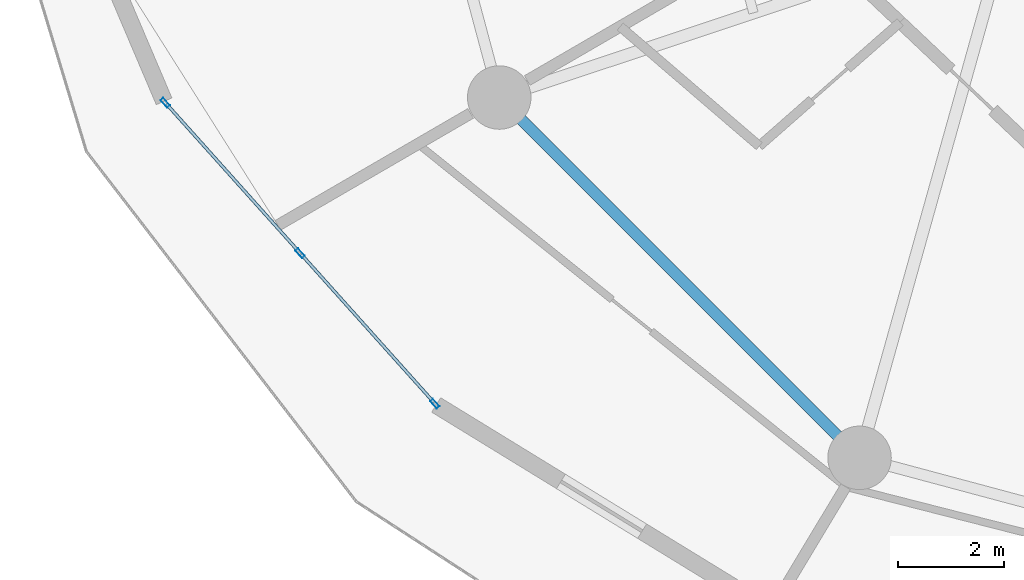
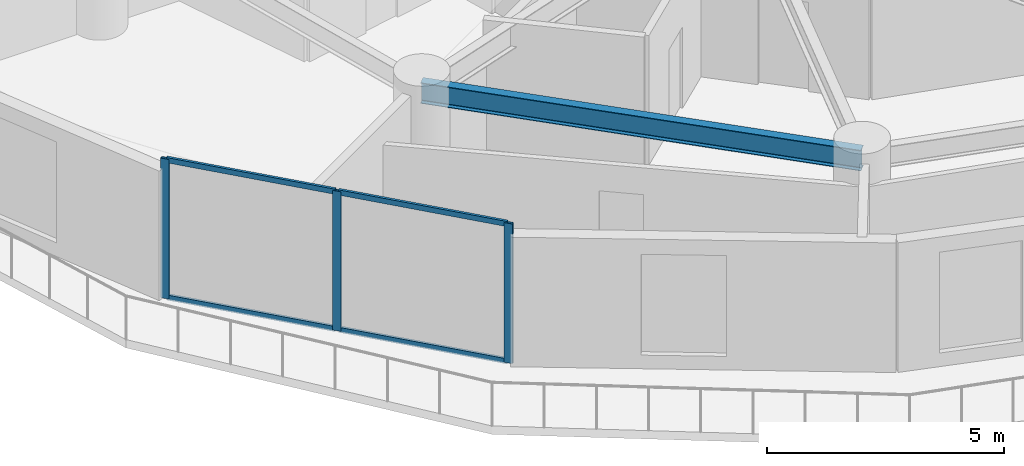
# One storey, part 2 of 23: 7 members, 1 beam, 1 element without a shape of its own.
"""IFC4 building model written with IfcOpenShell, lengths in metres."""

from ifc_helpers import new_model, si_unit, direction, frame, origin, origin_2d, place, context, subcontext, project, spatial, hollow_rectangle, i_section, extrude, source, transform, mapped, material, layer, layer_set, material_profile, profile_set, type_object, element, aggregate, save


model = new_model("IFC4")

# Units and contexts
model_context = context("Model", 3, precision=1e-05, world=origin(), true_north=direction((0.0, 1.0)))
body_context = subcontext(model_context, "Body", "Model", "MODEL_VIEW")
ifc_project = project(units=[si_unit("LENGTHUNIT", "METRE"), si_unit("AREAUNIT", "SQUARE_METRE"), si_unit("VOLUMEUNIT", "CUBIC_METRE"), si_unit("PLANEANGLEUNIT", "RADIAN"), si_unit("MASSUNIT", "GRAM", prefix="KILO")], contexts=[model_context])

# Site, building, storey
site_placement = place(None, origin())
site = spatial("IfcSite", under=ifc_project, at=site_placement, CompositionType="ELEMENT")
building_placement = place(site_placement, origin())
building = spatial("IfcBuilding", under=site, at=building_placement, Name="Solvirekh Grand Hotel", CompositionType="ELEMENT")
storey_placement = place(building_placement, frame((0.0, 0.0, 42.800048828125)))
storey = spatial("IfcBuildingStorey", under=building, at=storey_placement, Name="L09", CompositionType="ELEMENT", Elevation=42.800048828125)

# Beam
ifc_material_1 = material(Name="Steel S355", Category="steel")
ifc_material_profile_1 = material_profile(ifc_material_1, i_section(OverallWidth=0.208984375, OverallDepth=0.532958984375, WebThickness=0.010009765625, FlangeThickness=0.014892578125, FilletRadius=0.013916015625, at=origin_2d()), Name="W530X92")
ifc_profile_set_1 = profile_set([ifc_material_profile_1], Name="Steel S355")
beam_type = type_object("IfcBeamType", Name="Spandrel_Ring_W530", PredefinedType="SPANDREL", material=ifc_profile_set_1)
beam_placement = place(storey_placement, frame((-16.10791015625, -9.300048828125, 3.072998046875), z_axis=(0.707106781187, -0.707106781187, 0.0), x_axis=(0.707106781187, 0.707106781187, 0.0)))
element("IfcBeam", 1, at=beam_placement, inside=storey, type_object=beam_type, Name="L09 perimeter spandrel beam 8", PredefinedType="SPANDREL", context=body_context, shape_type="SweptSolid", body=[
    extrude(i_section(OverallWidth=0.208984375, OverallDepth=0.532958984375, WebThickness=0.010009765625, FlangeThickness=0.014892578125, FilletRadius=0.013916015625, at=origin_2d()), origin(), (0.0, 0.0, 1.0), 9.627685546875),
])

# Curtain wall, members
ifc_material_2 = material(Name="Anodized Bronze Aluminium 6063-T6", Category="aluminium")
ifc_layer = layer(ifc_material_2, 0.18994140625)
ifc_layer_set = layer_set([ifc_layer], Name="Anodized Bronze Aluminium 6063-T6")
curtain_wall_type = type_object("IfcCurtainWallType", Name="CW_Sys2_LowZoneFlushBronzeCW", PredefinedType="NOTDEFINED", material=ifc_layer_set)
curtain_wall_placement = place(storey_placement, origin())
curtain_wall = element("IfcCurtainWall", 2, at=curtain_wall_placement, inside=storey, type_object=curtain_wall_type, Name="L09 unitised bronze-glass curtain wall CW-L09-C13", PredefinedType="NOTDEFINED")
ifc_material_profile_2 = material_profile(ifc_material_2, hollow_rectangle(XDim=0.06005859375, YDim=0.135009765625, WallThickness=0.00390625, at=origin_2d()), Name="ALU RHS 135X60X4")
ifc_profile_set_2 = profile_set([ifc_material_profile_2], Name="Anodized Bronze Aluminium 6063-T6")
member_type_1 = type_object("IfcMemberType", Name="CWTransom_Sys2", PredefinedType="USERDEFINED", material=ifc_profile_set_2)
shared_shape_1 = source(origin(), body_context, "Body", "SweptSolid", [
    extrude(hollow_rectangle(XDim=0.06005859375, YDim=0.135009765625, WallThickness=0.00390625, at=origin_2d()), origin(), (0.0, 0.0, 1.0), 3.74755859375),
])
member_1_placement = place(storey_placement, frame((-22.394287109375, -9.423095703125, 0.030029296875), z_axis=(0.667383094545, -0.744714579631, 0.0), x_axis=(0.744714579631, 0.667383094545, 0.0)))
member_1 = element("IfcMember", 3, at=member_1_placement, type_object=member_type_1, Name="U02 transom 1.1", ObjectType="TRANSOM", PredefinedType="USERDEFINED", context=body_context, shape_type="MappedRepresentation", body=[
    mapped(shared_shape_1, transform((0.0, 0.0, 0.0), x_axis=(1.0, 0.0, 0.0), y_axis=(0.0, 1.0, 0.0), z_axis=(0.0, 0.0, 1.0), scale=1.0)),
])
member_2_placement = place(storey_placement, frame((-22.394287109375, -9.423095703125, 3.570068359375), z_axis=(0.667383094545, -0.744714579631, 0.0), x_axis=(0.744714579631, 0.667383094545, 0.0)))
member_2 = element("IfcMember", 4, at=member_2_placement, type_object=member_type_1, Name="U02 transom 1.2", ObjectType="TRANSOM", PredefinedType="USERDEFINED", context=body_context, shape_type="MappedRepresentation", body=[
    mapped(shared_shape_1, transform((0.0, 0.0, 0.0), x_axis=(1.0, 0.0, 0.0), y_axis=(0.0, 1.0, 0.0), z_axis=(0.0, 0.0, 1.0), scale=1.0)),
])
member_3_placement = place(storey_placement, frame((-19.8466796875, -12.26611328125, 0.030029296875), z_axis=(0.667383094545, -0.744714579631, 0.0), x_axis=(0.744714579631, 0.667383094545, 0.0)))
member_3 = element("IfcMember", 5, at=member_3_placement, type_object=member_type_1, Name="U02 transom 2.1", ObjectType="TRANSOM", PredefinedType="USERDEFINED", context=body_context, shape_type="MappedRepresentation", body=[
    mapped(shared_shape_1, transform((0.0, 0.0, 0.0), x_axis=(1.0, 0.0, 0.0), y_axis=(0.0, 1.0, 0.0), z_axis=(0.0, 0.0, 1.0), scale=1.0)),
])
member_4_placement = place(storey_placement, frame((-19.8466796875, -12.26611328125, 3.570068359375), z_axis=(0.667383094545, -0.744714579631, 0.0), x_axis=(0.744714579631, 0.667383094545, 0.0)))
member_4 = element("IfcMember", 6, at=member_4_placement, type_object=member_type_1, Name="U02 transom 2.2", ObjectType="TRANSOM", PredefinedType="USERDEFINED", context=body_context, shape_type="MappedRepresentation", body=[
    mapped(shared_shape_1, transform((0.0, 0.0, 0.0), x_axis=(1.0, 0.0, 0.0), y_axis=(0.0, 1.0, 0.0), z_axis=(0.0, 0.0, 1.0), scale=1.0)),
])
ifc_material_profile_3 = material_profile(ifc_material_2, hollow_rectangle(XDim=0.070068359375, YDim=0.18994140625, WallThickness=0.0048828125, at=origin_2d()), Name="ALU RHS 190X70X5")
ifc_profile_set_3 = profile_set([ifc_material_profile_3], Name="Anodized Bronze Aluminium 6063-T6")
member_type_2 = type_object("IfcMemberType", Name="CWMullion_Sys2", PredefinedType="MULLION", material=ifc_profile_set_3)
shared_shape_2 = source(origin(), body_context, "Body", "SweptSolid", [
    extrude(hollow_rectangle(XDim=0.070068359375, YDim=0.18994140625, WallThickness=0.0048828125, at=origin_2d()), origin(), (0.0, 0.0, 1.0), 3.599853515625),
])
member_5_placement = place(storey_placement, frame((-22.417724609375, -9.39697265625, 0.0), z_axis=(0.0, 0.0, 1.0), x_axis=(0.744725132095, 0.667371319152, 0.0)))
member_5 = element("IfcMember", 7, at=member_5_placement, type_object=member_type_2, Name="U02 mullion 1", PredefinedType="MULLION", context=body_context, shape_type="MappedRepresentation", body=[
    mapped(shared_shape_2, transform((0.0, 0.0, 0.0), x_axis=(1.0, 0.0, 0.0), y_axis=(0.0, 1.0, 0.0), z_axis=(0.0, 0.0, 1.0), scale=1.0)),
])
member_6_placement = place(storey_placement, frame((-19.8701171875, -12.239990234375, 0.0), z_axis=(0.0, 0.0, 1.0), x_axis=(0.744725132095, 0.667371319152, 0.0)))
member_6 = element("IfcMember", 8, at=member_6_placement, type_object=member_type_2, Name="U02 mullion 2", PredefinedType="MULLION", context=body_context, shape_type="MappedRepresentation", body=[
    mapped(shared_shape_2, transform((0.0, 0.0, 0.0), x_axis=(1.0, 0.0, 0.0), y_axis=(0.0, 1.0, 0.0), z_axis=(0.0, 0.0, 1.0), scale=1.0)),
])
member_7_placement = place(storey_placement, frame((-17.322265625, -15.0830078125, 0.0), z_axis=(0.0, 0.0, 1.0), x_axis=(0.744725132095, 0.667371319152, 0.0)))
member_7 = element("IfcMember", 9, at=member_7_placement, type_object=member_type_2, Name="U02 mullion 3", PredefinedType="MULLION", context=body_context, shape_type="MappedRepresentation", body=[
    mapped(shared_shape_2, transform((0.0, 0.0, 0.0), x_axis=(1.0, 0.0, 0.0), y_axis=(0.0, 1.0, 0.0), z_axis=(0.0, 0.0, 1.0), scale=1.0)),
])
aggregate(curtain_wall, [member_5, member_6, member_7, member_1, member_2, member_3, member_4])

save(model, "model.ifc")
